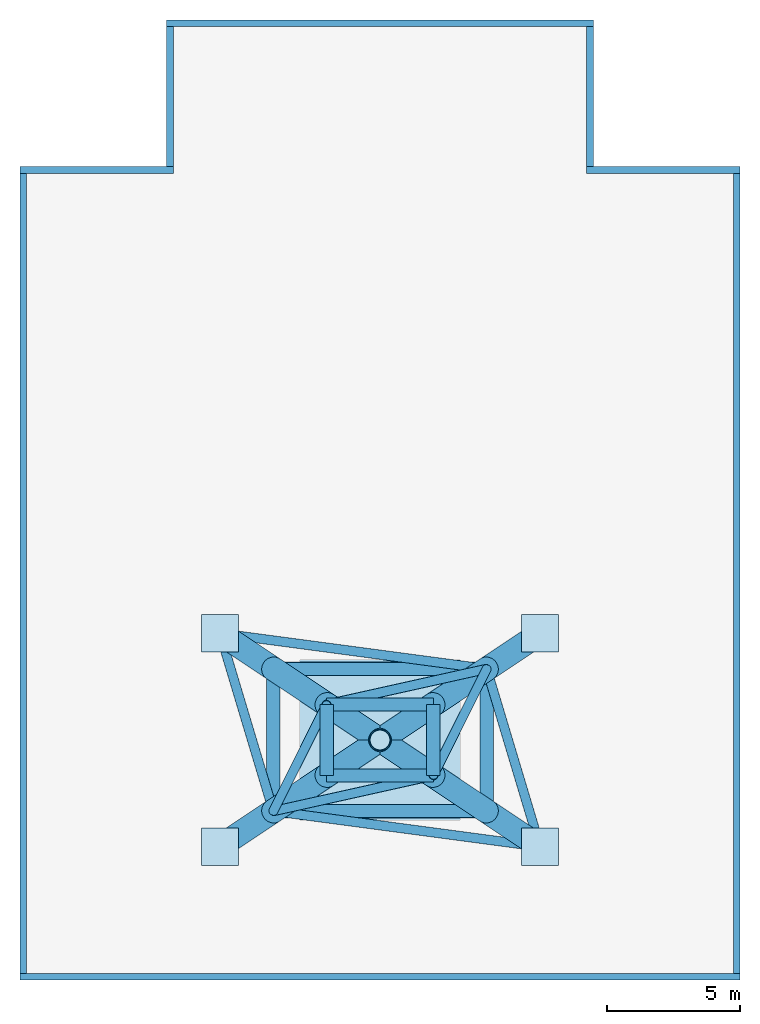
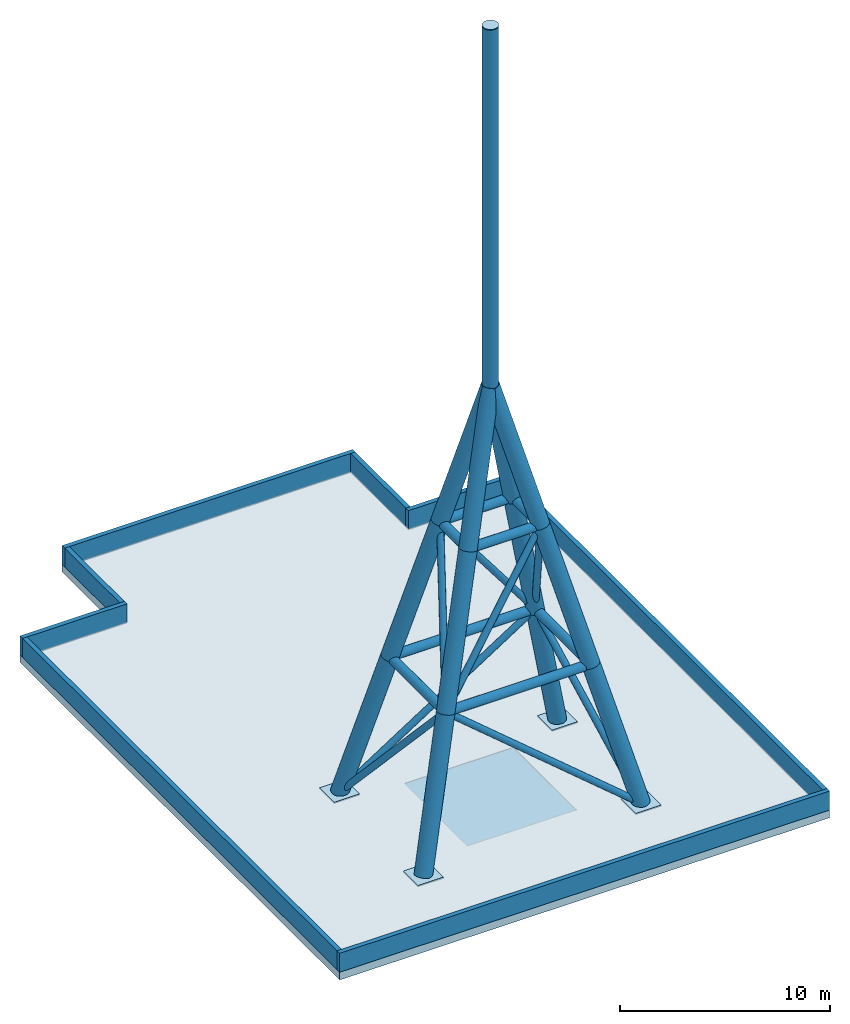
# One storey, part 1 of 2: 29 members, 8 walls, 5 plates, 1 slab.
"""IFC4 building model written with IfcOpenShell, lengths in metres."""

from ifc_helpers import new_model, si_unit, direction, frame, frame_2d, origin, origin_2d, place, context, subcontext, project, spatial, polyline, rectangle, hollow_circle, outline, extrude, material, layer, layer_set, material_profile, profile_set, type_object, element, save


model = new_model("IFC4")

# Units and contexts
model_context = context("Model", 3, precision=1e-05, world=origin(), true_north=direction((0.0, 1.0)))
body_context = subcontext(model_context, "Body", "Model", "MODEL_VIEW")
ifc_project = project(units=[si_unit("LENGTHUNIT", "METRE"), si_unit("AREAUNIT", "SQUARE_METRE"), si_unit("VOLUMEUNIT", "CUBIC_METRE"), si_unit("PLANEANGLEUNIT", "RADIAN"), si_unit("MASSUNIT", "GRAM", prefix="KILO")], contexts=[model_context])

# Site, building, storey
site_placement = place(None, origin())
site = spatial("IfcSite", under=ifc_project, at=site_placement, CompositionType="ELEMENT")
building_placement = place(site_placement, origin())
building = spatial("IfcBuilding", under=site, at=building_placement, Name="Finial Court Residences", CompositionType="ELEMENT")
storey_placement = place(building_placement, frame((0.0, 0.0, 325.699951171875)))
storey = spatial("IfcBuildingStorey", under=building, at=storey_placement, Name="Roof", CompositionType="ELEMENT", Elevation=325.699951171875)

# Members
ifc_material_1 = material(Name="Steel ASTM A572 Gr 50", Category="steel")
ifc_material_profile_1 = material_profile(ifc_material_1, hollow_circle(Radius=0.449951171875, WallThickness=0.0400390625, at=origin_2d()), Name="Tube 900x40")
ifc_profile_set_1 = profile_set([ifc_material_profile_1], Name="Steel ASTM A572 Gr 50")
member_type_1 = type_object("IfcMemberType", Name="Spire leg Tube 900x40", PredefinedType="USERDEFINED", material=ifc_profile_set_1)
for number, where, z_axis, x_axis, name in (
    (1, (-6.0, -20.5, 0.0), (0.239426437646, 0.159607882811, 0.957705750584), (-0.554676756648, 0.832065920246, 0.0), "S:SPIRE:L1:1"),
    (2, (-4.0, -19.166748046875, 8.0), (0.239425320666, 0.159636364927, 0.957701282664), (-0.554747071418, 0.832019042302, 0.0), "S:SPIRE:L1:2"),
    (3, (-2.0, -17.833251953125, 16.0), (0.239426437646, 0.159607882811, 0.957705750584), (-0.554676756648, 0.832065920246, 0.0), "S:SPIRE:L1:3"),
    (4, (6.0, -20.5, 0.0), (-0.239426437646, 0.159607882811, 0.957705750584), (-0.554676756648, -0.832065920246, 0.0), "S:SPIRE:L2:1"),
    (5, (4.0, -19.166748046875, 8.0), (-0.239425320666, 0.159636364927, 0.957701282664), (-0.554747071418, -0.832019042302, 0.0), "S:SPIRE:L2:2"),
    (6, (2.0, -17.833251953125, 16.0), (-0.239426437646, 0.159607882811, 0.957705750584), (-0.554676756648, -0.832065920246, 0.0), "S:SPIRE:L2:3"),
    (7, (6.0, -12.5, 0.0), (-0.239426437646, -0.159607882811, 0.957705750584), (0.554676756648, -0.832065920246, 0.0), "S:SPIRE:L3:1"),
    (8, (4.0, -13.833251953125, 8.0), (-0.239425320666, -0.159636364927, 0.957701282664), (0.554747071418, -0.832019042302, 0.0), "S:SPIRE:L3:2"),
    (9, (2.0, -15.166748046875, 16.0), (-0.239426437646, -0.159607882811, 0.957705750584), (0.554676756648, -0.832065920246, 0.0), "S:SPIRE:L3:3"),
    (10, (-6.0, -12.5, 0.0), (0.239426437646, -0.159607882811, 0.957705750584), (0.554676756648, 0.832065920246, 0.0), "S:SPIRE:L4:1"),
    (11, (-4.0, -13.833251953125, 8.0), (0.239425320666, -0.159636364927, 0.957701282664), (0.554747071418, 0.832019042302, 0.0), "S:SPIRE:L4:2"),
    (12, (-2.0, -15.166748046875, 16.0), (0.239426437646, -0.159607882811, 0.957705750584), (0.554676756648, 0.832065920246, 0.0), "S:SPIRE:L4:3"),
):
    element("IfcMember", number, at=place(storey_placement, frame(where, z_axis=z_axis, x_axis=x_axis)), inside=storey, type_object=member_type_1, Name=name, ObjectType="Spire leg", PredefinedType="USERDEFINED", context=body_context, shape_type="SweptSolid", body=[
        extrude(hollow_circle(Radius=0.449951171875, WallThickness=0.0400390625, at=origin_2d()), origin(), (0.0, 0.0, 1.0), 8.353271484375),
    ])
ifc_material_profile_2 = material_profile(ifc_material_1, hollow_circle(Radius=0.39990234375, WallThickness=0.030029296875, at=origin_2d()), Name="Tube 800x30")
ifc_profile_set_2 = profile_set([ifc_material_profile_2], Name="Steel ASTM A572 Gr 50")
member_type_2 = type_object("IfcMemberType", Name="Spire needle Tube 800x30", PredefinedType="USERDEFINED", material=ifc_profile_set_2)
member_1_placement = place(storey_placement, frame((0.0, -16.5, 24.0), z_axis=(0.0, 0.0, 1.0), x_axis=(1.0, 0.0, 0.0)))
element("IfcMember", 13, at=member_1_placement, inside=storey, type_object=member_type_2, Name="S:SPIRE:N1", ObjectType="Spire needle", PredefinedType="USERDEFINED", context=body_context, shape_type="SweptSolid", body=[
    extrude(hollow_circle(Radius=0.39990234375, WallThickness=0.030029296875, at=origin_2d()), origin(), (0.0, 0.0, 1.0), 20.9599609375),
])
ifc_material_profile_3 = material_profile(ifc_material_1, hollow_circle(Radius=0.175048828125, WallThickness=0.02001953125, at=origin_2d()), Name="Tube 350x20")
ifc_profile_set_3 = profile_set([ifc_material_profile_3], Name="Steel ASTM A572 Gr 50")
member_type_3 = type_object("IfcMemberType", Name="Spire panel brace Tube 350x20", PredefinedType="BRACE", material=ifc_profile_set_3)
member_2_placement = place(storey_placement, frame((6.0, -20.5, 0.0), z_axis=(-0.776671067959, 0.103549821829, 0.621336854367), x_axis=(-0.132155794347, -0.991228957416, 0.0)))
element("IfcMember", 14, at=member_2_placement, inside=storey, type_object=member_type_3, Name="S:SPIRE:D1:1", PredefinedType="BRACE", context=body_context, shape_type="SweptSolid", body=[
    extrude(hollow_circle(Radius=0.175048828125, WallThickness=0.02001953125, at=origin_2d()), origin(), (0.0, 0.0, 1.0), 12.87548828125),
])
member_3_placement = place(storey_placement, frame((6.0, -20.5, 0.0), z_axis=(-0.18860747402, 0.628699254526, 0.754429896082), x_axis=(-0.957827250617, -0.28734466756, 0.0)))
element("IfcMember", 15, at=member_3_placement, inside=storey, type_object=member_type_3, Name="S:SPIRE:D1:2", PredefinedType="BRACE", context=body_context, shape_type="SweptSolid", body=[
    extrude(hollow_circle(Radius=0.175048828125, WallThickness=0.02001953125, at=origin_2d()), origin(), (0.0, 0.0, 1.0), 10.60400390625),
])
member_4_placement = place(storey_placement, frame((-6.0, -12.5, 0.0), z_axis=(0.776671067959, -0.103549821829, 0.621336854367), x_axis=(0.132155794347, 0.991228957416, 0.0)))
element("IfcMember", 16, at=member_4_placement, inside=storey, type_object=member_type_3, Name="S:SPIRE:D1:3", PredefinedType="BRACE", context=body_context, shape_type="SweptSolid", body=[
    extrude(hollow_circle(Radius=0.175048828125, WallThickness=0.02001953125, at=origin_2d()), origin(), (0.0, 0.0, 1.0), 12.87548828125),
])
member_5_placement = place(storey_placement, frame((-6.0, -12.5, 0.0), z_axis=(0.18860747402, -0.628699254526, 0.754429896082), x_axis=(0.957827250617, 0.28734466756, 0.0)))
element("IfcMember", 17, at=member_5_placement, inside=storey, type_object=member_type_3, Name="S:SPIRE:D1:4", PredefinedType="BRACE", context=body_context, shape_type="SweptSolid", body=[
    extrude(hollow_circle(Radius=0.175048828125, WallThickness=0.02001953125, at=origin_2d()), origin(), (0.0, 0.0, 1.0), 10.60400390625),
])
member_6_placement = place(storey_placement, frame((-4.0, -19.166748046875, 8.0), z_axis=(0.594735472219, 0.132179571503, 0.792980629626), x_axis=(-0.216955692216, 0.976181452198, 0.0)))
element("IfcMember", 18, at=member_6_placement, inside=storey, type_object=member_type_3, Name="S:SPIRE:D2:1", PredefinedType="BRACE", context=body_context, shape_type="SweptSolid", body=[
    extrude(hollow_circle(Radius=0.175048828125, WallThickness=0.02001953125, at=origin_2d()), origin(), (0.0, 0.0, 1.0), 10.088623046875),
])
member_7_placement = place(storey_placement, frame((4.0, -13.833251953125, 8.0), z_axis=(-0.218217890236, -0.436435780472, 0.872871560944), x_axis=(0.894427191, -0.4472135955, 0.0)))
element("IfcMember", 19, at=member_7_placement, inside=storey, type_object=member_type_3, Name="S:SPIRE:D2:2", PredefinedType="BRACE", context=body_context, shape_type="SweptSolid", body=[
    extrude(hollow_circle(Radius=0.175048828125, WallThickness=0.02001953125, at=origin_2d()), origin(), (0.0, 0.0, 1.0), 9.1650390625),
])
member_8_placement = place(storey_placement, frame((4.0, -13.833251953125, 8.0), z_axis=(-0.594735472219, -0.132179571503, 0.792980629626), x_axis=(0.216955692216, -0.976181452198, 0.0)))
element("IfcMember", 20, at=member_8_placement, inside=storey, type_object=member_type_3, Name="S:SPIRE:D2:3", PredefinedType="BRACE", context=body_context, shape_type="SweptSolid", body=[
    extrude(hollow_circle(Radius=0.175048828125, WallThickness=0.02001953125, at=origin_2d()), origin(), (0.0, 0.0, 1.0), 10.088623046875),
])
member_9_placement = place(storey_placement, frame((-4.0, -19.166748046875, 8.0), z_axis=(0.218217890236, 0.436435780472, 0.872871560944), x_axis=(-0.894427191, 0.4472135955, 0.0)))
element("IfcMember", 21, at=member_9_placement, inside=storey, type_object=member_type_3, Name="S:SPIRE:D2:4", PredefinedType="BRACE", context=body_context, shape_type="SweptSolid", body=[
    extrude(hollow_circle(Radius=0.175048828125, WallThickness=0.02001953125, at=origin_2d()), origin(), (0.0, 0.0, 1.0), 9.1650390625),
])
ifc_material_profile_4 = material_profile(ifc_material_1, hollow_circle(Radius=0.25, WallThickness=0.02490234375, at=origin_2d()), Name="Tube 500x25")
ifc_profile_set_4 = profile_set([ifc_material_profile_4], Name="Steel ASTM A572 Gr 50")
member_type_4 = type_object("IfcMemberType", Name="Spire ring strut Tube 500x25", PredefinedType="STRUT", material=ifc_profile_set_4)
member_10_placement = place(storey_placement, frame((-4.0, -19.166748046875, 8.0), z_axis=(1.0, 0.0, 0.0), x_axis=(0.0, 1.0, 0.0)))
element("IfcMember", 22, at=member_10_placement, inside=storey, type_object=member_type_4, Name="S:SPIRE:R1:1", PredefinedType="STRUT", context=body_context, shape_type="SweptSolid", body=[
    extrude(hollow_circle(Radius=0.25, WallThickness=0.02490234375, at=origin_2d()), origin(), (0.0, 0.0, 1.0), 8.0),
])
member_11_placement = place(storey_placement, frame((4.0, -19.166748046875, 8.0), z_axis=(0.0, 1.0, 0.0), x_axis=(-1.0, 0.0, 0.0)))
element("IfcMember", 23, at=member_11_placement, inside=storey, type_object=member_type_4, Name="S:SPIRE:R1:2", PredefinedType="STRUT", context=body_context, shape_type="SweptSolid", body=[
    extrude(hollow_circle(Radius=0.25, WallThickness=0.02490234375, at=origin_2d()), origin(), (0.0, 0.0, 1.0), 5.33349609375),
])
member_12_placement = place(storey_placement, frame((4.0, -13.833251953125, 8.0), z_axis=(-1.0, 0.0, 0.0), x_axis=(0.0, -1.0, 0.0)))
element("IfcMember", 24, at=member_12_placement, inside=storey, type_object=member_type_4, Name="S:SPIRE:R1:3", PredefinedType="STRUT", context=body_context, shape_type="SweptSolid", body=[
    extrude(hollow_circle(Radius=0.25, WallThickness=0.02490234375, at=origin_2d()), origin(), (0.0, 0.0, 1.0), 8.0),
])
member_13_placement = place(storey_placement, frame((-4.0, -13.833251953125, 8.0), z_axis=(0.0, -1.0, 0.0), x_axis=(1.0, 0.0, 0.0)))
element("IfcMember", 25, at=member_13_placement, inside=storey, type_object=member_type_4, Name="S:SPIRE:R1:4", PredefinedType="STRUT", context=body_context, shape_type="SweptSolid", body=[
    extrude(hollow_circle(Radius=0.25, WallThickness=0.02490234375, at=origin_2d()), origin(), (0.0, 0.0, 1.0), 5.33349609375),
])
member_14_placement = place(storey_placement, frame((-2.0, -17.833251953125, 16.0), z_axis=(1.0, 0.0, 0.0), x_axis=(0.0, 1.0, 0.0)))
element("IfcMember", 26, at=member_14_placement, inside=storey, type_object=member_type_4, Name="S:SPIRE:R2:1", PredefinedType="STRUT", context=body_context, shape_type="SweptSolid", body=[
    extrude(hollow_circle(Radius=0.25, WallThickness=0.02490234375, at=origin_2d()), origin(), (0.0, 0.0, 1.0), 4.0),
])
member_15_placement = place(storey_placement, frame((2.0, -17.833251953125, 16.0), z_axis=(0.0, 1.0, 0.0), x_axis=(-1.0, 0.0, 0.0)))
element("IfcMember", 27, at=member_15_placement, inside=storey, type_object=member_type_4, Name="S:SPIRE:R2:2", PredefinedType="STRUT", context=body_context, shape_type="SweptSolid", body=[
    extrude(hollow_circle(Radius=0.25, WallThickness=0.02490234375, at=origin_2d()), origin(), (0.0, 0.0, 1.0), 2.66650390625),
])
member_16_placement = place(storey_placement, frame((2.0, -15.166748046875, 16.0), z_axis=(-1.0, 0.0, 0.0), x_axis=(0.0, -1.0, 0.0)))
element("IfcMember", 28, at=member_16_placement, inside=storey, type_object=member_type_4, Name="S:SPIRE:R2:3", PredefinedType="STRUT", context=body_context, shape_type="SweptSolid", body=[
    extrude(hollow_circle(Radius=0.25, WallThickness=0.02490234375, at=origin_2d()), origin(), (0.0, 0.0, 1.0), 4.0),
])
member_17_placement = place(storey_placement, frame((-2.0, -15.166748046875, 16.0), z_axis=(0.0, -1.0, 0.0), x_axis=(1.0, 0.0, 0.0)))
element("IfcMember", 29, at=member_17_placement, inside=storey, type_object=member_type_4, Name="S:SPIRE:R2:4", PredefinedType="STRUT", context=body_context, shape_type="SweptSolid", body=[
    extrude(hollow_circle(Radius=0.25, WallThickness=0.02490234375, at=origin_2d()), origin(), (0.0, 0.0, 1.0), 2.66650390625),
])

# Slab
ifc_material_2 = material(Name="Concrete C40/50", Category="concrete")
ifc_layer_1 = layer(ifc_material_2, 0.449951171875)
ifc_layer_set_1 = layer_set([ifc_layer_1], Name="Roof slab 450 Concrete C40/50")
slab_type = type_object("IfcSlabType", Name="Roof slab 450 Concrete C40/50", PredefinedType="ROOF", material=ifc_layer_set_1)
slab_placement = place(storey_placement, frame((0.0, 0.0, -0.449951171875)))
element("IfcSlab", 30, at=slab_placement, inside=storey, type_object=slab_type, Name="S:SLAB:Roof", PredefinedType="ROOF", context=body_context, shape_type="SweptSolid", body=[
    extrude(outline(polyline([(13.5, -25.5), (-13.5, -25.5), (-13.5, 5.0), (-8.0, 5.0), (-8.0, 10.5), (8.0, 10.5), (8.0, 5.0), (13.5, 5.0), (13.5, -25.5)])), origin(), (0.0, 0.0, 1.0), 0.449951171875),
])

# Plates
ifc_layer_2 = layer(ifc_material_1, 0.06005859375)
ifc_layer_set_2 = layer_set([ifc_layer_2], Name="Spire base plate 60")
plate_type_1 = type_object("IfcPlateType", Name="Spire base plate 60", PredefinedType="USERDEFINED", material=ifc_layer_set_2)
for number, where, z_axis, x_axis, name in (
    (31, (-6.0, -20.5, 0.0), (0.0, 0.0, 1.0), (1.0, 0.0, 0.0), "S:SPIRE:BP1"),
    (32, (6.0, -20.5, 0.0), (0.0, 0.0, 1.0), (1.0, 0.0, 0.0), "S:SPIRE:BP2"),
    (33, (6.0, -12.5, 0.0), (0.0, 0.0, 1.0), (1.0, 0.0, 0.0), "S:SPIRE:BP3"),
    (34, (-6.0, -12.5, 0.0), (0.0, 0.0, 1.0), (1.0, 0.0, 0.0), "S:SPIRE:BP4"),
):
    element("IfcPlate", number, at=place(storey_placement, frame(where, z_axis=z_axis, x_axis=x_axis)), inside=storey, type_object=plate_type_1, Name=name, ObjectType="Spire base plate", PredefinedType="USERDEFINED", context=body_context, shape_type="SweptSolid", body=[
        extrude(rectangle(XDim=1.39990234375, YDim=1.39990234375, at=origin_2d()), origin(), (0.0, 0.0, 1.0), 0.06005859375),
    ])
ifc_layer_3 = layer(ifc_material_1, 0.0400390625)
ifc_layer_set_3 = layer_set([ifc_layer_3], Name="Spire cap plate 40")
plate_type_2 = type_object("IfcPlateType", Name="Spire cap plate 40", PredefinedType="USERDEFINED", material=ifc_layer_set_3)
plate_placement = place(storey_placement, frame((0.0, 0.0, 44.9599609375)))
element("IfcPlate", 35, at=plate_placement, inside=storey, type_object=plate_type_2, Name="S:SPIRE:CAP", ObjectType="Spire cap plate", PredefinedType="USERDEFINED", context=body_context, shape_type="SweptSolid", body=[
    extrude(outline(polyline([(0.39990234375, -16.5), (0.392333984375, -16.422119140625), (0.36962890625, -16.346923828125), (0.33251953125, -16.27783203125), (0.28271484375, -16.21728515625), (0.22216796875, -16.16748046875), (0.153076171875, -16.13037109375), (0.077880859375, -16.107666015625), (0.0, -16.10009765625), (-0.077880859375, -16.107666015625), (-0.153076171875, -16.13037109375), (-0.22216796875, -16.16748046875), (-0.28271484375, -16.21728515625), (-0.33251953125, -16.27783203125), (-0.36962890625, -16.346923828125), (-0.392333984375, -16.422119140625), (-0.39990234375, -16.5), (-0.392333984375, -16.577880859375), (-0.36962890625, -16.653076171875), (-0.33251953125, -16.72216796875), (-0.28271484375, -16.78271484375), (-0.22216796875, -16.83251953125), (-0.153076171875, -16.86962890625), (-0.077880859375, -16.892333984375), (0.0, -16.89990234375), (0.077880859375, -16.892333984375), (0.153076171875, -16.86962890625), (0.22216796875, -16.83251953125), (0.28271484375, -16.78271484375), (0.33251953125, -16.72216796875), (0.36962890625, -16.653076171875), (0.392333984375, -16.577880859375), (0.39990234375, -16.5)])), origin(), (0.0, 0.0, 1.0), 0.0400390625),
])

# Walls
ifc_material_3 = material(Name="Concrete C35/45", Category="concrete")
ifc_layer_4 = layer(ifc_material_3, 0.25)
ifc_layer_set_4 = layer_set([ifc_layer_4], Name="Roof parapet, Concrete C35/45 250")
wall_type = type_object("IfcWallType", Name="Roof parapet, Concrete C35/45 250", PredefinedType="PARAPET", material=ifc_layer_set_4)
wall_1_placement = place(storey_placement, frame((13.375, -25.25, 0.0), z_axis=(0.0, 0.0, 1.0), x_axis=(0.0, 1.0, 0.0)))
element("IfcWall", 36, at=wall_1_placement, inside=storey, type_object=wall_type, Name="E-ROOF-PAR-E", PredefinedType="PARAPET", context=body_context, shape_type="SweptSolid", body=[
    extrude(rectangle(XDim=30.0, YDim=0.25, at=frame_2d((15.0, 0.0))), origin(), (0.0, 0.0, 1.0), 1.10009765625),
])
wall_2_placement = place(storey_placement, frame((7.75, 4.875, 0.0), z_axis=(0.0, 0.0, 1.0), x_axis=(1.0, 0.0, 0.0)))
element("IfcWall", 37, at=wall_2_placement, inside=storey, type_object=wall_type, Name="E-ROOF-PAR-NE-1", PredefinedType="PARAPET", context=body_context, shape_type="SweptSolid", body=[
    extrude(rectangle(XDim=5.75, YDim=0.25, at=frame_2d((2.875, 0.0))), origin(), (0.0, 0.0, 1.0), 1.10009765625),
])
wall_3_placement = place(storey_placement, frame((7.875, 5.0, 0.0), z_axis=(0.0, 0.0, 1.0), x_axis=(0.0, 1.0, 0.0)))
element("IfcWall", 38, at=wall_3_placement, inside=storey, type_object=wall_type, Name="E-ROOF-PAR-NE-2", PredefinedType="PARAPET", context=body_context, shape_type="SweptSolid", body=[
    extrude(rectangle(XDim=5.25, YDim=0.25, at=frame_2d((2.625, 0.0))), origin(), (0.0, 0.0, 1.0), 1.10009765625),
])
wall_4_placement = place(storey_placement, frame((-8.0, 10.375, 0.0), z_axis=(0.0, 0.0, 1.0), x_axis=(1.0, 0.0, 0.0)))
element("IfcWall", 39, at=wall_4_placement, inside=storey, type_object=wall_type, Name="E-ROOF-PAR-N", PredefinedType="PARAPET", context=body_context, shape_type="SweptSolid", body=[
    extrude(rectangle(XDim=16.0, YDim=0.25, at=frame_2d((8.0, 0.0))), origin(), (0.0, 0.0, 1.0), 1.10009765625),
])
wall_5_placement = place(storey_placement, frame((-7.875, 5.0, 0.0), z_axis=(0.0, 0.0, 1.0), x_axis=(0.0, 1.0, 0.0)))
element("IfcWall", 40, at=wall_5_placement, inside=storey, type_object=wall_type, Name="E-ROOF-PAR-NW-2", PredefinedType="PARAPET", context=body_context, shape_type="SweptSolid", body=[
    extrude(rectangle(XDim=5.25, YDim=0.25, at=frame_2d((2.625, 0.0))), origin(), (0.0, 0.0, 1.0), 1.10009765625),
])
wall_6_placement = place(storey_placement, frame((-13.5, 4.875, 0.0), z_axis=(0.0, 0.0, 1.0), x_axis=(1.0, 0.0, 0.0)))
element("IfcWall", 41, at=wall_6_placement, inside=storey, type_object=wall_type, Name="E-ROOF-PAR-NW-1", PredefinedType="PARAPET", context=body_context, shape_type="SweptSolid", body=[
    extrude(rectangle(XDim=5.75, YDim=0.25, at=frame_2d((2.875, 0.0))), origin(), (0.0, 0.0, 1.0), 1.10009765625),
])
wall_7_placement = place(storey_placement, frame((-13.375, -25.25, 0.0), z_axis=(0.0, 0.0, 1.0), x_axis=(0.0, 1.0, 0.0)))
element("IfcWall", 42, at=wall_7_placement, inside=storey, type_object=wall_type, Name="E-ROOF-PAR-W", PredefinedType="PARAPET", context=body_context, shape_type="SweptSolid", body=[
    extrude(rectangle(XDim=30.0, YDim=0.25, at=frame_2d((15.0, 0.0))), origin(), (0.0, 0.0, 1.0), 1.10009765625),
])
wall_8_placement = place(storey_placement, frame((-13.5, -25.375, 0.0), z_axis=(0.0, 0.0, 1.0), x_axis=(1.0, 0.0, 0.0)))
element("IfcWall", 43, at=wall_8_placement, inside=storey, type_object=wall_type, Name="E-ROOF-PAR-S", PredefinedType="PARAPET", context=body_context, shape_type="SweptSolid", body=[
    extrude(rectangle(XDim=27.0, YDim=0.25, at=frame_2d((13.5, 0.0))), origin(), (0.0, 0.0, 1.0), 1.10009765625),
])

save(model, "model.ifc")
